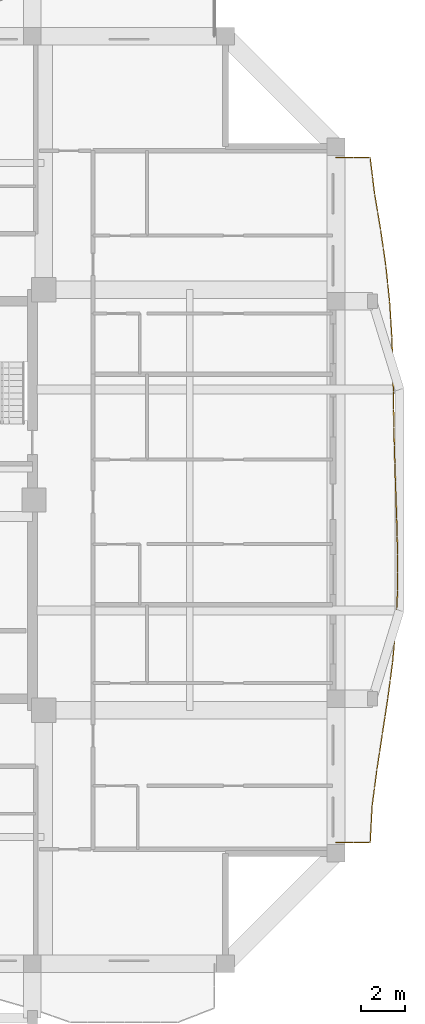
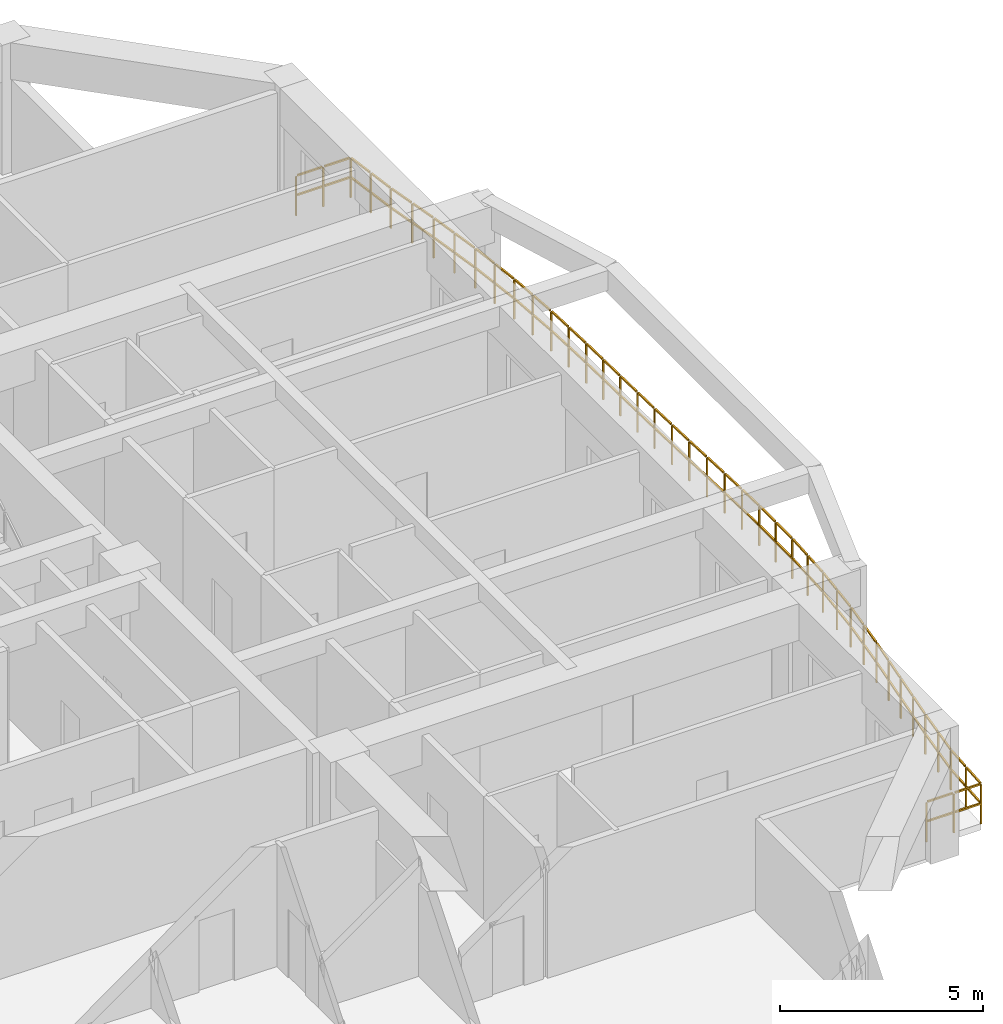
# One storey, part 13 of 14: 1 railing.
"""IFC4 building model written with IfcOpenShell, lengths in metres."""

from ifc_helpers import new_model, si_unit, direction, frame, origin, origin_2d, place, context, subcontext, project, spatial, rectangle, extrude, material, type_object, element, save


model = new_model("IFC4")

# Units and contexts
model_context = context("Model", 3, precision=1e-05, world=origin(), true_north=direction((0.0, 1.0)))
body_context = subcontext(model_context, "Body", "Model", "MODEL_VIEW")
ifc_project = project(units=[si_unit("LENGTHUNIT", "METRE"), si_unit("AREAUNIT", "SQUARE_METRE"), si_unit("VOLUMEUNIT", "CUBIC_METRE"), si_unit("PLANEANGLEUNIT", "RADIAN"), si_unit("MASSUNIT", "GRAM", prefix="KILO")], contexts=[model_context])

# Site, building, storey
site_placement = place(None, origin())
site = spatial("IfcSite", under=ifc_project, at=site_placement, CompositionType="ELEMENT")
building_placement = place(site_placement, origin())
building = spatial("IfcBuilding", under=site, at=building_placement, Name="Saelheon Loggia Tower", CompositionType="ELEMENT")
storey_placement = place(building_placement, frame((0.0, 0.0, 182.800048828125)))
storey = spatial("IfcBuildingStorey", under=building, at=storey_placement, Name="L57", CompositionType="ELEMENT", Elevation=182.800048828125)

# Railing
ifc_material = material(Name="Architectural Precast Concrete and Laminated Glass Guard", Category="concrete")
railing_type = type_object("IfcRailingType", Name="Guard_Loggia_RL_LOG", PredefinedType="BALUSTRADE", material=ifc_material)
railing_placement = place(storey_placement, frame((58.25, 11.5, 0.0)))
element("IfcRailing", 1, at=railing_placement, inside=storey, type_object=railing_type, Name="L57 East Loggia Balustrade", PredefinedType="BALUSTRADE", context=body_context, shape_type="SweptSolid", body=[
    extrude(rectangle(XDim=0.048095703125, YDim=0.048095703125, at=origin_2d()), frame((0.033203125, 0.0, 1.19580078125), z_axis=(1.0, 0.0, 0.0), x_axis=(0.0, 1.0, 0.0)), (0.0, 0.0, 1.0), 0.70849609375),
    extrude(rectangle(XDim=0.048095703125, YDim=0.048095703125, at=origin_2d()), frame((0.033203125, 0.0, 0.60986328125), z_axis=(1.0, 0.0, 0.0), x_axis=(0.0, 1.0, 0.0)), (0.0, 0.0, 1.0), 0.70849609375),
    extrude(rectangle(XDim=0.048095703125, YDim=0.048095703125, at=origin_2d()), frame((0.808349609375, 0.0, 1.19580078125), z_axis=(1.0, 0.0, 0.0), x_axis=(0.0, 1.0, 0.0)), (0.0, 0.0, 1.0), 0.70849609375),
    extrude(rectangle(XDim=0.048095703125, YDim=0.048095703125, at=origin_2d()), frame((0.808349609375, 0.0, 0.60986328125), z_axis=(1.0, 0.0, 0.0), x_axis=(0.0, 1.0, 0.0)), (0.0, 0.0, 1.0), 0.70849609375),
    extrude(rectangle(XDim=0.048095703125, YDim=0.048095703125, at=origin_2d()), frame((1.5517578125, 0.033203125, 1.19580078125), z_axis=(0.053045069927, 0.998592119214, 0.0), x_axis=(-0.998592119214, 0.053045069927, 0.0)), (0.0, 0.0, 1.0), 0.75048828125),
    extrude(rectangle(XDim=0.048095703125, YDim=0.048095703125, at=origin_2d()), frame((1.5517578125, 0.033203125, 0.60986328125), z_axis=(0.053045069927, 0.998592119214, 0.0), x_axis=(-0.998592119214, 0.053045069927, 0.0)), (0.0, 0.0, 1.0), 0.75048828125),
    extrude(rectangle(XDim=0.048095703125, YDim=0.048095703125, at=origin_2d()), frame((1.59521484375, 0.848876953125, 1.19580078125), z_axis=(0.053045069927, 0.998592119214, 0.0), x_axis=(-0.998592119214, 0.053045069927, 0.0)), (0.0, 0.0, 1.0), 0.75048828125),
    extrude(rectangle(XDim=0.048095703125, YDim=0.048095703125, at=origin_2d()), frame((1.59521484375, 0.848876953125, 0.60986328125), z_axis=(0.053045069927, 0.998592119214, 0.0), x_axis=(-0.998592119214, 0.053045069927, 0.0)), (0.0, 0.0, 1.0), 0.75048828125),
    extrude(rectangle(XDim=0.048095703125, YDim=0.048095703125, at=origin_2d()), frame((1.64111328125, 1.66455078125, 1.19580078125), z_axis=(0.130987886348, 0.991383968818, 0.0), x_axis=(-0.991383968818, 0.130987886348, 0.0)), (0.0, 0.0, 1.0), 0.75634765625),
    extrude(rectangle(XDim=0.048095703125, YDim=0.048095703125, at=origin_2d()), frame((1.64111328125, 1.66455078125, 0.60986328125), z_axis=(0.130987886348, 0.991383968818, 0.0), x_axis=(-0.991383968818, 0.130987886348, 0.0)), (0.0, 0.0, 1.0), 0.75634765625),
    extrude(rectangle(XDim=0.048095703125, YDim=0.048095703125, at=origin_2d()), frame((1.748779296875, 2.480224609375, 1.19580078125), z_axis=(0.130987886348, 0.991383968818, 0.0), x_axis=(-0.991383968818, 0.130987886348, 0.0)), (0.0, 0.0, 1.0), 0.75634765625),
    extrude(rectangle(XDim=0.048095703125, YDim=0.048095703125, at=origin_2d()), frame((1.748779296875, 2.480224609375, 0.60986328125), z_axis=(0.130987886348, 0.991383968818, 0.0), x_axis=(-0.991383968818, 0.130987886348, 0.0)), (0.0, 0.0, 1.0), 0.75634765625),
    extrude(rectangle(XDim=0.048095703125, YDim=0.048095703125, at=origin_2d()), frame((1.857177734375, 3.296142578125, 1.19580078125), z_axis=(0.150011350352, 0.988684274562, 0.0), x_axis=(-0.988684274562, 0.150011350352, 0.0)), (0.0, 0.0, 1.0), 0.758544921875),
    extrude(rectangle(XDim=0.048095703125, YDim=0.048095703125, at=origin_2d()), frame((1.857177734375, 3.296142578125, 0.60986328125), z_axis=(0.150011350352, 0.988684274562, 0.0), x_axis=(-0.988684274562, 0.150011350352, 0.0)), (0.0, 0.0, 1.0), 0.758544921875),
    extrude(rectangle(XDim=0.048095703125, YDim=0.048095703125, at=origin_2d()), frame((1.98095703125, 4.11181640625, 1.19580078125), z_axis=(0.150011350352, 0.988684274562, 0.0), x_axis=(-0.988684274562, 0.150011350352, 0.0)), (0.0, 0.0, 1.0), 0.758544921875),
    extrude(rectangle(XDim=0.048095703125, YDim=0.048095703125, at=origin_2d()), frame((1.98095703125, 4.11181640625, 0.60986328125), z_axis=(0.150011350352, 0.988684274562, 0.0), x_axis=(-0.988684274562, 0.150011350352, 0.0)), (0.0, 0.0, 1.0), 0.758544921875),
    extrude(rectangle(XDim=0.048095703125, YDim=0.048095703125, at=origin_2d()), frame((2.10498046875, 4.927734375, 1.19580078125), z_axis=(0.151601487322, 0.988441697341, 0.0), x_axis=(-0.988441697341, 0.151601487322, 0.0)), (0.0, 0.0, 1.0), 0.7587890625),
    extrude(rectangle(XDim=0.048095703125, YDim=0.048095703125, at=origin_2d()), frame((2.10498046875, 4.927734375, 0.60986328125), z_axis=(0.151601487322, 0.988441697341, 0.0), x_axis=(-0.988441697341, 0.151601487322, 0.0)), (0.0, 0.0, 1.0), 0.7587890625),
    extrude(rectangle(XDim=0.048095703125, YDim=0.048095703125, at=origin_2d()), frame((2.22998046875, 5.743408203125, 1.19580078125), z_axis=(0.151601487322, 0.988441697341, 0.0), x_axis=(-0.988441697341, 0.151601487322, 0.0)), (0.0, 0.0, 1.0), 0.7587890625),
    extrude(rectangle(XDim=0.048095703125, YDim=0.048095703125, at=origin_2d()), frame((2.22998046875, 5.743408203125, 0.60986328125), z_axis=(0.151601487322, 0.988441697341, 0.0), x_axis=(-0.988441697341, 0.151601487322, 0.0)), (0.0, 0.0, 1.0), 0.7587890625),
    extrude(rectangle(XDim=0.048095703125, YDim=0.048095703125, at=origin_2d()), frame((2.3544921875, 6.559326171875, 1.19580078125), z_axis=(0.131133680986, 0.991364694606, 0.0), x_axis=(-0.991364694606, 0.131133680986, 0.0)), (0.0, 0.0, 1.0), 0.75634765625),
    extrude(rectangle(XDim=0.048095703125, YDim=0.048095703125, at=origin_2d()), frame((2.3544921875, 6.559326171875, 0.60986328125), z_axis=(0.131133680986, 0.991364694606, 0.0), x_axis=(-0.991364694606, 0.131133680986, 0.0)), (0.0, 0.0, 1.0), 0.75634765625),
    extrude(rectangle(XDim=0.048095703125, YDim=0.048095703125, at=origin_2d()), frame((2.46240234375, 7.375, 1.19580078125), z_axis=(0.131133680986, 0.991364694606, 0.0), x_axis=(-0.991364694606, 0.131133680986, 0.0)), (0.0, 0.0, 1.0), 0.75634765625),
    extrude(rectangle(XDim=0.048095703125, YDim=0.048095703125, at=origin_2d()), frame((2.46240234375, 7.375, 0.60986328125), z_axis=(0.131133680986, 0.991364694606, 0.0), x_axis=(-0.991364694606, 0.131133680986, 0.0)), (0.0, 0.0, 1.0), 0.75634765625),
    extrude(rectangle(XDim=0.048095703125, YDim=0.048095703125, at=origin_2d()), frame((2.56884765625, 8.191162109375, 1.19580078125), z_axis=(0.091785091288, 0.99577883941, 0.0), x_axis=(-0.99577883941, 0.091785091288, 0.0)), (0.0, 0.0, 1.0), 0.752685546875),
    extrude(rectangle(XDim=0.048095703125, YDim=0.048095703125, at=origin_2d()), frame((2.56884765625, 8.191162109375, 0.60986328125), z_axis=(0.091785091288, 0.99577883941, 0.0), x_axis=(-0.99577883941, 0.091785091288, 0.0)), (0.0, 0.0, 1.0), 0.752685546875),
    extrude(rectangle(XDim=0.048095703125, YDim=0.048095703125, at=origin_2d()), frame((2.64404296875, 9.0068359375, 1.19580078125), z_axis=(0.091785091288, 0.99577883941, 0.0), x_axis=(-0.99577883941, 0.091785091288, 0.0)), (0.0, 0.0, 1.0), 0.752685546875),
    extrude(rectangle(XDim=0.048095703125, YDim=0.048095703125, at=origin_2d()), frame((2.64404296875, 9.0068359375, 0.60986328125), z_axis=(0.091785091288, 0.99577883941, 0.0), x_axis=(-0.99577883941, 0.091785091288, 0.0)), (0.0, 0.0, 1.0), 0.752685546875),
    extrude(rectangle(XDim=0.048095703125, YDim=0.048095703125, at=origin_2d()), frame((2.7177734375, 9.82275390625, 1.19580078125), z_axis=(0.04424810558, 0.999020572938, 0.0), x_axis=(-0.999020572938, 0.04424810558, 0.0)), (0.0, 0.0, 1.0), 0.750244140625),
    extrude(rectangle(XDim=0.048095703125, YDim=0.048095703125, at=origin_2d()), frame((2.7177734375, 9.82275390625, 0.60986328125), z_axis=(0.04424810558, 0.999020572938, 0.0), x_axis=(-0.999020572938, 0.04424810558, 0.0)), (0.0, 0.0, 1.0), 0.750244140625),
    extrude(rectangle(XDim=0.048095703125, YDim=0.048095703125, at=origin_2d()), frame((2.75390625, 10.638427734375, 1.19580078125), z_axis=(0.04424810558, 0.999020572938, 0.0), x_axis=(-0.999020572938, 0.04424810558, 0.0)), (0.0, 0.0, 1.0), 0.750244140625),
    extrude(rectangle(XDim=0.048095703125, YDim=0.048095703125, at=origin_2d()), frame((2.75390625, 10.638427734375, 0.60986328125), z_axis=(0.04424810558, 0.999020572938, 0.0), x_axis=(-0.999020572938, 0.04424810558, 0.0)), (0.0, 0.0, 1.0), 0.750244140625),
    extrude(rectangle(XDim=0.048095703125, YDim=0.048095703125, at=origin_2d()), frame((2.78857421875, 11.454345703125, 1.19580078125), z_axis=(0.001047589967, 0.999999451277, 0.0), x_axis=(-0.999999451277, 0.001047589967, 0.0)), (0.0, 0.0, 1.0), 0.749267578125),
    extrude(rectangle(XDim=0.048095703125, YDim=0.048095703125, at=origin_2d()), frame((2.78857421875, 11.454345703125, 0.60986328125), z_axis=(0.001047589967, 0.999999451277, 0.0), x_axis=(-0.999999451277, 0.001047589967, 0.0)), (0.0, 0.0, 1.0), 0.749267578125),
    extrude(rectangle(XDim=0.048095703125, YDim=0.048095703125, at=origin_2d()), frame((2.78955078125, 12.27001953125, 1.19580078125), z_axis=(0.001047589967, 0.999999451277, 0.0), x_axis=(-0.999999451277, 0.001047589967, 0.0)), (0.0, 0.0, 1.0), 0.749267578125),
    extrude(rectangle(XDim=0.048095703125, YDim=0.048095703125, at=origin_2d()), frame((2.78955078125, 12.27001953125, 0.60986328125), z_axis=(0.001047589967, 0.999999451277, 0.0), x_axis=(-0.999999451277, 0.001047589967, 0.0)), (0.0, 0.0, 1.0), 0.749267578125),
    extrude(rectangle(XDim=0.048095703125, YDim=0.048095703125, at=origin_2d()), frame((2.789306640625, 13.085693359375, 1.19580078125), z_axis=(-0.026326350244, 0.999653401576, 0.0), x_axis=(-0.999653401576, -0.026326350244, 0.0)), (0.0, 0.0, 1.0), 0.74951171875),
    extrude(rectangle(XDim=0.048095703125, YDim=0.048095703125, at=origin_2d()), frame((2.789306640625, 13.085693359375, 0.60986328125), z_axis=(-0.026326350244, 0.999653401576, 0.0), x_axis=(-0.999653401576, -0.026326350244, 0.0)), (0.0, 0.0, 1.0), 0.74951171875),
    extrude(rectangle(XDim=0.048095703125, YDim=0.048095703125, at=origin_2d()), frame((2.767822265625, 13.901611328125, 1.19580078125), z_axis=(-0.026326350244, 0.999653401576, 0.0), x_axis=(-0.999653401576, -0.026326350244, 0.0)), (0.0, 0.0, 1.0), 0.74951171875),
    extrude(rectangle(XDim=0.048095703125, YDim=0.048095703125, at=origin_2d()), frame((2.767822265625, 13.901611328125, 0.60986328125), z_axis=(-0.026326350244, 0.999653401576, 0.0), x_axis=(-0.999653401576, -0.026326350244, 0.0)), (0.0, 0.0, 1.0), 0.74951171875),
    extrude(rectangle(XDim=0.048095703125, YDim=0.048095703125, at=origin_2d()), frame((2.74609375, 14.71728515625, 1.19580078125), z_axis=(-0.034987542363, 0.999387748514, 0.0), x_axis=(-0.999387748514, -0.034987542363, 0.0)), (0.0, 0.0, 1.0), 0.75),
    extrude(rectangle(XDim=0.048095703125, YDim=0.048095703125, at=origin_2d()), frame((2.74609375, 14.71728515625, 0.60986328125), z_axis=(-0.034987542363, 0.999387748514, 0.0), x_axis=(-0.999387748514, -0.034987542363, 0.0)), (0.0, 0.0, 1.0), 0.75),
    extrude(rectangle(XDim=0.048095703125, YDim=0.048095703125, at=origin_2d()), frame((2.717529296875, 15.533203125, 1.19580078125), z_axis=(-0.034987542363, 0.999387748514, 0.0), x_axis=(-0.999387748514, -0.034987542363, 0.0)), (0.0, 0.0, 1.0), 0.75),
    extrude(rectangle(XDim=0.048095703125, YDim=0.048095703125, at=origin_2d()), frame((2.717529296875, 15.533203125, 0.60986328125), z_axis=(-0.034987542363, 0.999387748514, 0.0), x_axis=(-0.999387748514, -0.034987542363, 0.0)), (0.0, 0.0, 1.0), 0.75),
    extrude(rectangle(XDim=0.048095703125, YDim=0.048095703125, at=origin_2d()), frame((2.689208984375, 16.34912109375, 1.19580078125), z_axis=(-0.028717763208, 0.999587559985, 0.0), x_axis=(-0.999587559985, -0.028717763208, 0.0)), (0.0, 0.0, 1.0), 0.749755859375),
    extrude(rectangle(XDim=0.048095703125, YDim=0.048095703125, at=origin_2d()), frame((2.689208984375, 16.34912109375, 0.60986328125), z_axis=(-0.028717763208, 0.999587559985, 0.0), x_axis=(-0.999587559985, -0.028717763208, 0.0)), (0.0, 0.0, 1.0), 0.749755859375),
    extrude(rectangle(XDim=0.048095703125, YDim=0.048095703125, at=origin_2d()), frame((2.665771484375, 17.1650390625, 1.19580078125), z_axis=(-0.028717763208, 0.999587559985, 0.0), x_axis=(-0.999587559985, -0.028717763208, 0.0)), (0.0, 0.0, 1.0), 0.749755859375),
    extrude(rectangle(XDim=0.048095703125, YDim=0.048095703125, at=origin_2d()), frame((2.665771484375, 17.1650390625, 0.60986328125), z_axis=(-0.028717763208, 0.999587559985, 0.0), x_axis=(-0.999587559985, -0.028717763208, 0.0)), (0.0, 0.0, 1.0), 0.749755859375),
    extrude(rectangle(XDim=0.048095703125, YDim=0.048095703125, at=origin_2d()), frame((2.642578125, 17.980712890625, 1.19580078125), z_axis=(-0.018853278196, 0.999822261155, 0.0), x_axis=(-0.999822261155, -0.018853278196, 0.0)), (0.0, 0.0, 1.0), 0.749267578125),
    extrude(rectangle(XDim=0.048095703125, YDim=0.048095703125, at=origin_2d()), frame((2.642578125, 17.980712890625, 0.60986328125), z_axis=(-0.018853278196, 0.999822261155, 0.0), x_axis=(-0.999822261155, -0.018853278196, 0.0)), (0.0, 0.0, 1.0), 0.749267578125),
    extrude(rectangle(XDim=0.048095703125, YDim=0.048095703125, at=origin_2d()), frame((2.627197265625, 18.79638671875, 1.19580078125), z_axis=(-0.018853278196, 0.999822261155, 0.0), x_axis=(-0.999822261155, -0.018853278196, 0.0)), (0.0, 0.0, 1.0), 0.749267578125),
    extrude(rectangle(XDim=0.048095703125, YDim=0.048095703125, at=origin_2d()), frame((2.627197265625, 18.79638671875, 0.60986328125), z_axis=(-0.018853278196, 0.999822261155, 0.0), x_axis=(-0.999822261155, -0.018853278196, 0.0)), (0.0, 0.0, 1.0), 0.749267578125),
    extrude(rectangle(XDim=0.048095703125, YDim=0.048095703125, at=origin_2d()), frame((2.612060546875, 19.612060546875, 1.19580078125), z_axis=(-0.016906157432, 0.999857080707, 0.0), x_axis=(-0.999857080707, -0.016906157432, 0.0)), (0.0, 0.0, 1.0), 0.74951171875),
    extrude(rectangle(XDim=0.048095703125, YDim=0.048095703125, at=origin_2d()), frame((2.612060546875, 19.612060546875, 0.60986328125), z_axis=(-0.016906157432, 0.999857080707, 0.0), x_axis=(-0.999857080707, -0.016906157432, 0.0)), (0.0, 0.0, 1.0), 0.74951171875),
    extrude(rectangle(XDim=0.048095703125, YDim=0.048095703125, at=origin_2d()), frame((2.59814453125, 20.427978515625, 1.19580078125), z_axis=(-0.016906157432, 0.999857080707, 0.0), x_axis=(-0.999857080707, -0.016906157432, 0.0)), (0.0, 0.0, 1.0), 0.74951171875),
    extrude(rectangle(XDim=0.048095703125, YDim=0.048095703125, at=origin_2d()), frame((2.59814453125, 20.427978515625, 0.60986328125), z_axis=(-0.016906157432, 0.999857080707, 0.0), x_axis=(-0.999857080707, -0.016906157432, 0.0)), (0.0, 0.0, 1.0), 0.74951171875),
    extrude(rectangle(XDim=0.048095703125, YDim=0.048095703125, at=origin_2d()), frame((2.583984375, 21.24365234375, 1.19580078125), z_axis=(-0.031556922457, 0.999501956299, 0.0), x_axis=(-0.999501956299, -0.031556922457, 0.0)), (0.0, 0.0, 1.0), 0.749755859375),
    extrude(rectangle(XDim=0.048095703125, YDim=0.048095703125, at=origin_2d()), frame((2.583984375, 21.24365234375, 0.60986328125), z_axis=(-0.031556922457, 0.999501956299, 0.0), x_axis=(-0.999501956299, -0.031556922457, 0.0)), (0.0, 0.0, 1.0), 0.749755859375),
    extrude(rectangle(XDim=0.048095703125, YDim=0.048095703125, at=origin_2d()), frame((2.55810546875, 22.0595703125, 1.19580078125), z_axis=(-0.031556922457, 0.999501956299, 0.0), x_axis=(-0.999501956299, -0.031556922457, 0.0)), (0.0, 0.0, 1.0), 0.749755859375),
    extrude(rectangle(XDim=0.048095703125, YDim=0.048095703125, at=origin_2d()), frame((2.55810546875, 22.0595703125, 0.60986328125), z_axis=(-0.031556922457, 0.999501956299, 0.0), x_axis=(-0.999501956299, -0.031556922457, 0.0)), (0.0, 0.0, 1.0), 0.749755859375),
    extrude(rectangle(XDim=0.048095703125, YDim=0.048095703125, at=origin_2d()), frame((2.53125, 22.875244140625, 1.19580078125), z_axis=(-0.063019778754, 0.998012278224, 0.0), x_axis=(-0.998012278224, -0.063019778754, 0.0)), (0.0, 0.0, 1.0), 0.7509765625),
    extrude(rectangle(XDim=0.048095703125, YDim=0.048095703125, at=origin_2d()), frame((2.53125, 22.875244140625, 0.60986328125), z_axis=(-0.063019778754, 0.998012278224, 0.0), x_axis=(-0.998012278224, -0.063019778754, 0.0)), (0.0, 0.0, 1.0), 0.7509765625),
    extrude(rectangle(XDim=0.048095703125, YDim=0.048095703125, at=origin_2d()), frame((2.479736328125, 23.69091796875, 1.19580078125), z_axis=(-0.063019778754, 0.998012278224, 0.0), x_axis=(-0.998012278224, -0.063019778754, 0.0)), (0.0, 0.0, 1.0), 0.7509765625),
    extrude(rectangle(XDim=0.048095703125, YDim=0.048095703125, at=origin_2d()), frame((2.479736328125, 23.69091796875, 0.60986328125), z_axis=(-0.063019778754, 0.998012278224, 0.0), x_axis=(-0.998012278224, -0.063019778754, 0.0)), (0.0, 0.0, 1.0), 0.7509765625),
    extrude(rectangle(XDim=0.048095703125, YDim=0.048095703125, at=origin_2d()), frame((2.427001953125, 24.506591796875, 1.19580078125), z_axis=(-0.104173484774, 0.994559141062, 0.0), x_axis=(-0.994559141062, -0.104173484774, 0.0)), (0.0, 0.0, 1.0), 0.75390625),
    extrude(rectangle(XDim=0.048095703125, YDim=0.048095703125, at=origin_2d()), frame((2.427001953125, 24.506591796875, 0.60986328125), z_axis=(-0.104173484774, 0.994559141062, 0.0), x_axis=(-0.994559141062, -0.104173484774, 0.0)), (0.0, 0.0, 1.0), 0.75390625),
    extrude(rectangle(XDim=0.048095703125, YDim=0.048095703125, at=origin_2d()), frame((2.341552734375, 25.322509765625, 1.19580078125), z_axis=(-0.104173484774, 0.994559141062, 0.0), x_axis=(-0.994559141062, -0.104173484774, 0.0)), (0.0, 0.0, 1.0), 0.75390625),
    extrude(rectangle(XDim=0.048095703125, YDim=0.048095703125, at=origin_2d()), frame((2.341552734375, 25.322509765625, 0.60986328125), z_axis=(-0.104173484774, 0.994559141062, 0.0), x_axis=(-0.994559141062, -0.104173484774, 0.0)), (0.0, 0.0, 1.0), 0.75390625),
    extrude(rectangle(XDim=0.048095703125, YDim=0.048095703125, at=origin_2d()), frame((2.2548828125, 26.13818359375, 1.19580078125), z_axis=(-0.142478758225, 0.989797859896, 0.0), x_axis=(-0.989797859896, -0.142478758225, 0.0)), (0.0, 0.0, 1.0), 0.7578125),
    extrude(rectangle(XDim=0.048095703125, YDim=0.048095703125, at=origin_2d()), frame((2.2548828125, 26.13818359375, 0.60986328125), z_axis=(-0.142478758225, 0.989797859896, 0.0), x_axis=(-0.989797859896, -0.142478758225, 0.0)), (0.0, 0.0, 1.0), 0.7578125),
    extrude(rectangle(XDim=0.048095703125, YDim=0.048095703125, at=origin_2d()), frame((2.137451171875, 26.953857421875, 1.19580078125), z_axis=(-0.142478758225, 0.989797859896, 0.0), x_axis=(-0.989797859896, -0.142478758225, 0.0)), (0.0, 0.0, 1.0), 0.7578125),
    extrude(rectangle(XDim=0.048095703125, YDim=0.048095703125, at=origin_2d()), frame((2.137451171875, 26.953857421875, 0.60986328125), z_axis=(-0.142478758225, 0.989797859896, 0.0), x_axis=(-0.989797859896, -0.142478758225, 0.0)), (0.0, 0.0, 1.0), 0.7578125),
    extrude(rectangle(XDim=0.048095703125, YDim=0.048095703125, at=origin_2d()), frame((2.01904296875, 27.76953125, 1.19580078125), z_axis=(-0.166001960269, 0.986125422645, 0.0), x_axis=(-0.986125422645, -0.166001960269, 0.0)), (0.0, 0.0, 1.0), 0.7607421875),
    extrude(rectangle(XDim=0.048095703125, YDim=0.048095703125, at=origin_2d()), frame((2.01904296875, 27.76953125, 0.60986328125), z_axis=(-0.166001960269, 0.986125422645, 0.0), x_axis=(-0.986125422645, -0.166001960269, 0.0)), (0.0, 0.0, 1.0), 0.7607421875),
    extrude(rectangle(XDim=0.048095703125, YDim=0.048095703125, at=origin_2d()), frame((1.8818359375, 28.58544921875, 1.19580078125), z_axis=(-0.166001960269, 0.986125422645, 0.0), x_axis=(-0.986125422645, -0.166001960269, 0.0)), (0.0, 0.0, 1.0), 0.7607421875),
    extrude(rectangle(XDim=0.048095703125, YDim=0.048095703125, at=origin_2d()), frame((1.8818359375, 28.58544921875, 0.60986328125), z_axis=(-0.166001960269, 0.986125422645, 0.0), x_axis=(-0.986125422645, -0.166001960269, 0.0)), (0.0, 0.0, 1.0), 0.7607421875),
    extrude(rectangle(XDim=0.048095703125, YDim=0.048095703125, at=origin_2d()), frame((1.745849609375, 29.4013671875, 1.19580078125), z_axis=(-0.121639737456, 0.99257431675, 0.0), x_axis=(-0.99257431675, -0.121639737456, 0.0)), (0.0, 0.0, 1.0), 0.75537109375),
    extrude(rectangle(XDim=0.048095703125, YDim=0.048095703125, at=origin_2d()), frame((1.745849609375, 29.4013671875, 0.60986328125), z_axis=(-0.121639737456, 0.99257431675, 0.0), x_axis=(-0.99257431675, -0.121639737456, 0.0)), (0.0, 0.0, 1.0), 0.75537109375),
    extrude(rectangle(XDim=0.048095703125, YDim=0.048095703125, at=origin_2d()), frame((1.64599609375, 30.21728515625, 1.19580078125), z_axis=(-0.121639737456, 0.99257431675, 0.0), x_axis=(-0.99257431675, -0.121639737456, 0.0)), (0.0, 0.0, 1.0), 0.75537109375),
    extrude(rectangle(XDim=0.048095703125, YDim=0.048095703125, at=origin_2d()), frame((1.64599609375, 30.21728515625, 0.60986328125), z_axis=(-0.121639737456, 0.99257431675, 0.0), x_axis=(-0.99257431675, -0.121639737456, 0.0)), (0.0, 0.0, 1.0), 0.75537109375),
    extrude(rectangle(XDim=0.048095703125, YDim=0.048095703125, at=origin_2d()), frame((1.516845703125, 31.0, 1.19580078125), z_axis=(-1.0, 0.0, 0.0), x_axis=(0.0, -1.0, 0.0)), (0.0, 0.0, 1.0), 0.70849609375),
    extrude(rectangle(XDim=0.048095703125, YDim=0.048095703125, at=origin_2d()), frame((1.516845703125, 31.0, 0.60986328125), z_axis=(-1.0, 0.0, 0.0), x_axis=(0.0, -1.0, 0.0)), (0.0, 0.0, 1.0), 0.70849609375),
    extrude(rectangle(XDim=0.048095703125, YDim=0.048095703125, at=origin_2d()), frame((0.74169921875, 31.0, 1.19580078125), z_axis=(-1.0, 0.0, 0.0), x_axis=(0.0, -1.0, 0.0)), (0.0, 0.0, 1.0), 0.70849609375),
    extrude(rectangle(XDim=0.048095703125, YDim=0.048095703125, at=origin_2d()), frame((0.74169921875, 31.0, 0.60986328125), z_axis=(-1.0, 0.0, 0.0), x_axis=(0.0, -1.0, 0.0)), (0.0, 0.0, 1.0), 0.70849609375),
    extrude(rectangle(XDim=0.0419921875, YDim=0.0419921875, at=origin_2d()), origin(), (0.0, 0.0, 1.0), 1.16796875),
    extrude(rectangle(XDim=0.0419921875, YDim=0.0419921875, at=origin_2d()), frame((0.77490234375, 0.0, 0.0)), (0.0, 0.0, 1.0), 1.16796875),
    extrude(rectangle(XDim=0.0419921875, YDim=0.0419921875, at=origin_2d()), frame((1.550048828125, 0.0, 0.0)), (0.0, 0.0, 1.0), 1.16796875),
    extrude(rectangle(XDim=0.0419921875, YDim=0.0419921875, at=origin_2d()), frame((1.59326171875, 0.81591796875, 0.0)), (0.0, 0.0, 1.0), 1.16796875),
    extrude(rectangle(XDim=0.0419921875, YDim=0.0419921875, at=origin_2d()), frame((1.63671875, 1.631591796875, 0.0)), (0.0, 0.0, 1.0), 1.16796875),
    extrude(rectangle(XDim=0.0419921875, YDim=0.0419921875, at=origin_2d()), frame((1.74462890625, 2.447265625, 0.0)), (0.0, 0.0, 1.0), 1.16796875),
    extrude(rectangle(XDim=0.0419921875, YDim=0.0419921875, at=origin_2d()), frame((1.852294921875, 3.26318359375, 0.0)), (0.0, 0.0, 1.0), 1.16796875),
    extrude(rectangle(XDim=0.0419921875, YDim=0.0419921875, at=origin_2d()), frame((1.97607421875, 4.0791015625, 0.0)), (0.0, 0.0, 1.0), 1.16796875),
    extrude(rectangle(XDim=0.0419921875, YDim=0.0419921875, at=origin_2d()), frame((2.099853515625, 4.894775390625, 0.0)), (0.0, 0.0, 1.0), 1.16796875),
    extrude(rectangle(XDim=0.0419921875, YDim=0.0419921875, at=origin_2d()), frame((2.22509765625, 5.71044921875, 0.0)), (0.0, 0.0, 1.0), 1.16796875),
    extrude(rectangle(XDim=0.0419921875, YDim=0.0419921875, at=origin_2d()), frame((2.35009765625, 6.5263671875, 0.0)), (0.0, 0.0, 1.0), 1.16796875),
    extrude(rectangle(XDim=0.0419921875, YDim=0.0419921875, at=origin_2d()), frame((2.4580078125, 7.34228515625, 0.0)), (0.0, 0.0, 1.0), 1.16796875),
    extrude(rectangle(XDim=0.0419921875, YDim=0.0419921875, at=origin_2d()), frame((2.56591796875, 8.157958984375, 0.0)), (0.0, 0.0, 1.0), 1.16796875),
    extrude(rectangle(XDim=0.0419921875, YDim=0.0419921875, at=origin_2d()), frame((2.64111328125, 8.9736328125, 0.0)), (0.0, 0.0, 1.0), 1.16796875),
    extrude(rectangle(XDim=0.0419921875, YDim=0.0419921875, at=origin_2d()), frame((2.71630859375, 9.78955078125, 0.0)), (0.0, 0.0, 1.0), 1.16796875),
    extrude(rectangle(XDim=0.0419921875, YDim=0.0419921875, at=origin_2d()), frame((2.75244140625, 10.60546875, 0.0)), (0.0, 0.0, 1.0), 1.16796875),
    extrude(rectangle(XDim=0.0419921875, YDim=0.0419921875, at=origin_2d()), frame((2.78857421875, 11.421142578125, 0.0)), (0.0, 0.0, 1.0), 1.16796875),
    extrude(rectangle(XDim=0.0419921875, YDim=0.0419921875, at=origin_2d()), frame((2.78955078125, 12.23681640625, 0.0)), (0.0, 0.0, 1.0), 1.16796875),
    extrude(rectangle(XDim=0.0419921875, YDim=0.0419921875, at=origin_2d()), frame((2.790283203125, 13.052490234375, 0.0)), (0.0, 0.0, 1.0), 1.16796875),
    extrude(rectangle(XDim=0.0419921875, YDim=0.0419921875, at=origin_2d()), frame((2.768798828125, 13.8681640625, 0.0)), (0.0, 0.0, 1.0), 1.16796875),
    extrude(rectangle(XDim=0.0419921875, YDim=0.0419921875, at=origin_2d()), frame((2.747314453125, 14.68408203125, 0.0)), (0.0, 0.0, 1.0), 1.16796875),
    extrude(rectangle(XDim=0.0419921875, YDim=0.0419921875, at=origin_2d()), frame((2.71875, 15.5, 0.0)), (0.0, 0.0, 1.0), 1.16796875),
    extrude(rectangle(XDim=0.0419921875, YDim=0.0419921875, at=origin_2d()), frame((2.690185546875, 16.31591796875, 0.0)), (0.0, 0.0, 1.0), 1.16796875),
    extrude(rectangle(XDim=0.0419921875, YDim=0.0419921875, at=origin_2d()), frame((2.666748046875, 17.1318359375, 0.0)), (0.0, 0.0, 1.0), 1.16796875),
    extrude(rectangle(XDim=0.0419921875, YDim=0.0419921875, at=origin_2d()), frame((2.643310546875, 17.947509765625, 0.0)), (0.0, 0.0, 1.0), 1.16796875),
    extrude(rectangle(XDim=0.0419921875, YDim=0.0419921875, at=origin_2d()), frame((2.6279296875, 18.76318359375, 0.0)), (0.0, 0.0, 1.0), 1.16796875),
    extrude(rectangle(XDim=0.0419921875, YDim=0.0419921875, at=origin_2d()), frame((2.612548828125, 19.578857421875, 0.0)), (0.0, 0.0, 1.0), 1.16796875),
    extrude(rectangle(XDim=0.0419921875, YDim=0.0419921875, at=origin_2d()), frame((2.5986328125, 20.39453125, 0.0)), (0.0, 0.0, 1.0), 1.16796875),
    extrude(rectangle(XDim=0.0419921875, YDim=0.0419921875, at=origin_2d()), frame((2.5849609375, 21.21044921875, 0.0)), (0.0, 0.0, 1.0), 1.16796875),
    extrude(rectangle(XDim=0.0419921875, YDim=0.0419921875, at=origin_2d()), frame((2.55908203125, 22.0263671875, 0.0)), (0.0, 0.0, 1.0), 1.16796875),
    extrude(rectangle(XDim=0.0419921875, YDim=0.0419921875, at=origin_2d()), frame((2.533447265625, 22.842041015625, 0.0)), (0.0, 0.0, 1.0), 1.16796875),
    extrude(rectangle(XDim=0.0419921875, YDim=0.0419921875, at=origin_2d()), frame((2.48193359375, 23.65771484375, 0.0)), (0.0, 0.0, 1.0), 1.16796875),
    extrude(rectangle(XDim=0.0419921875, YDim=0.0419921875, at=origin_2d()), frame((2.430419921875, 24.4736328125, 0.0)), (0.0, 0.0, 1.0), 1.16796875),
    extrude(rectangle(XDim=0.0419921875, YDim=0.0419921875, at=origin_2d()), frame((2.344970703125, 25.28955078125, 0.0)), (0.0, 0.0, 1.0), 1.16796875),
    extrude(rectangle(XDim=0.0419921875, YDim=0.0419921875, at=origin_2d()), frame((2.259521484375, 26.105224609375, 0.0)), (0.0, 0.0, 1.0), 1.16796875),
    extrude(rectangle(XDim=0.0419921875, YDim=0.0419921875, at=origin_2d()), frame((2.14208984375, 26.9208984375, 0.0)), (0.0, 0.0, 1.0), 1.16796875),
    extrude(rectangle(XDim=0.0419921875, YDim=0.0419921875, at=origin_2d()), frame((2.024658203125, 27.73681640625, 0.0)), (0.0, 0.0, 1.0), 1.16796875),
    extrude(rectangle(XDim=0.0419921875, YDim=0.0419921875, at=origin_2d()), frame((1.88720703125, 28.552734375, 0.0)), (0.0, 0.0, 1.0), 1.16796875),
    extrude(rectangle(XDim=0.0419921875, YDim=0.0419921875, at=origin_2d()), frame((1.75, 29.368408203125, 0.0)), (0.0, 0.0, 1.0), 1.16796875),
    extrude(rectangle(XDim=0.0419921875, YDim=0.0419921875, at=origin_2d()), frame((1.64990234375, 30.18408203125, 0.0)), (0.0, 0.0, 1.0), 1.16796875),
    extrude(rectangle(XDim=0.0419921875, YDim=0.0419921875, at=origin_2d()), frame((1.550048828125, 31.0, 0.0)), (0.0, 0.0, 1.0), 1.16796875),
    extrude(rectangle(XDim=0.0419921875, YDim=0.0419921875, at=origin_2d()), frame((0.77490234375, 31.0, 0.0)), (0.0, 0.0, 1.0), 1.16796875),
    extrude(rectangle(XDim=0.0419921875, YDim=0.0419921875, at=origin_2d()), frame((0.0, 31.0, 0.0)), (0.0, 0.0, 1.0), 1.16796875),
])

save(model, "model.ifc")
